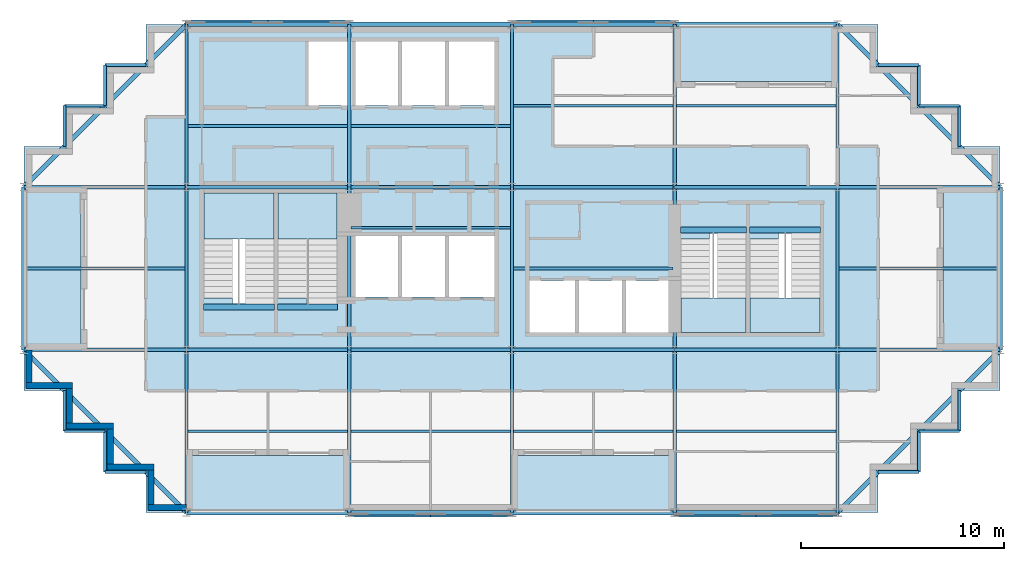
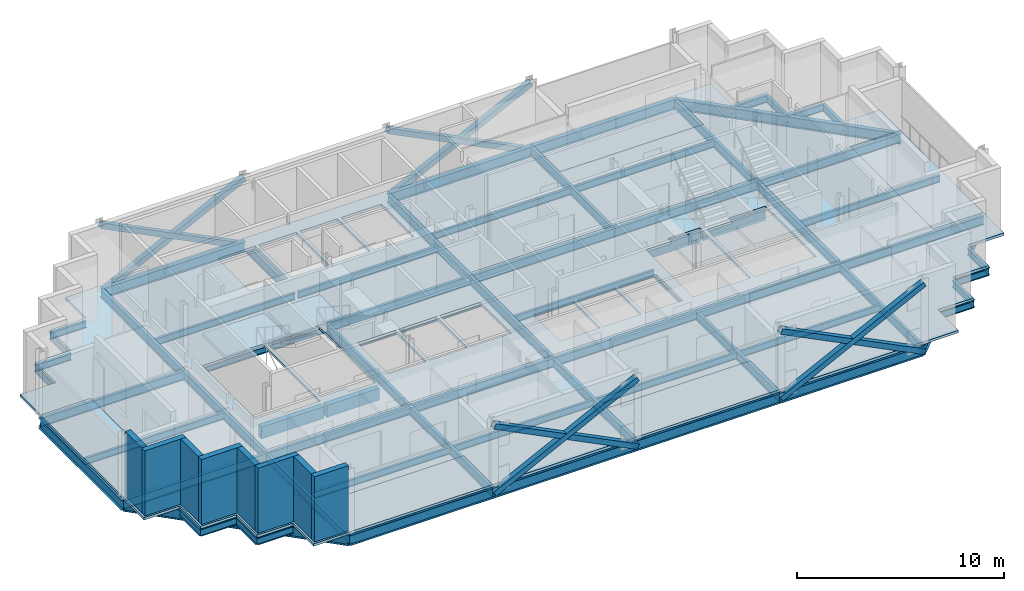
# One storey, part 3 of 9: 73 beams, 12 slabs, 8 members, 8 walls, 4 elements without a shape of their own.
"""IFC4 building model written with IfcOpenShell, lengths in metres."""

import ifcopenshell
import ifcopenshell.guid

model = None  # the IFC model being written
_history = None  # IfcOwnerHistory: only IFC2X3 demands one
_inside = {}  # id of a spatial element -> (the spatial element, [elements in it])
_under = {}  # id of a project, library or spatial element -> (it, [spatial elements below it])
_declared = {}  # id of a project -> (the project, [libraries it declares])
_typed = {}  # id of a type object -> (the type object, [elements of that type])
_made_of = {}  # id of a material, layer set ... -> (it, [elements and type objects made of it])


def new_model(schema):
    """Start an empty IFC model of exactly this schema.

    Asked for "IFC4X3", IfcOpenShell would pick the latest addendum, in which some entities
    have other attributes; the version numbers below select the first issue.
    IFC2X3 requires an IfcOwnerHistory on every rooted entity: one is made here for all.
    """
    global model, _history
    if schema == "IFC4X3":
        model = ifcopenshell.file(schema_version=(4, 3, 0, 0))
    else:
        model = ifcopenshell.file(schema=schema)
    _inside.clear()
    _under.clear()
    _declared.clear()
    _typed.clear()
    _made_of.clear()
    _history = None
    if model.schema == "IFC2X3":
        org = make("IfcOrganization", Name="unknown")
        user = make(
            "IfcPersonAndOrganization",
            ThePerson=make("IfcPerson", FamilyName="unknown"),
            TheOrganization=org,
        )
        app = make(
            "IfcApplication",
            ApplicationDeveloper=org,
            Version="unknown",
            ApplicationFullName="unknown",
            ApplicationIdentifier="unknown",
        )
        _history = make(
            "IfcOwnerHistory",
            OwningUser=user,
            OwningApplication=app,
            ChangeAction="ADDED",
            CreationDate=0,
        )
    return model


def make(cls, **values):
    """One entity of the class cls with the attributes given. An attribute that is None is left unset."""
    return model.create_entity(
        cls, **{name: value for name, value in values.items() if value is not None}
    )


def rooted(cls, **values):
    """An entity with a GlobalId (a new one), such as an element, a storey or a relation."""
    return make(cls, GlobalId=ifcopenshell.guid.new(), OwnerHistory=_history, **values)


def si_unit(unit_type, name, prefix=None):
    """IfcSIUnit, for example si_unit("LENGTHUNIT", "METRE", prefix="MILLI")."""
    return make("IfcSIUnit", UnitType=unit_type, Prefix=prefix, Name=name)


def assignment(units):
    """IfcUnitAssignment: the units of a project."""
    return None if units is None else make("IfcUnitAssignment", Units=units)


def point(xyz):
    """IfcCartesianPoint."""
    return None if xyz is None else make("IfcCartesianPoint", Coordinates=xyz)


def direction(xyz):
    """IfcDirection."""
    return None if xyz is None else make("IfcDirection", DirectionRatios=xyz)


def frame(location, z_axis=None, x_axis=None):
    """IfcAxis2Placement3D, a coordinate frame: its origin and axes. An axis left out is left unset."""
    return make(
        "IfcAxis2Placement3D",
        Location=point(location),
        Axis=direction(z_axis),
        RefDirection=direction(x_axis),
    )


def frame_2d(location, x_axis=None):
    """IfcAxis2Placement2D, a coordinate frame in the plane: its origin and x axis."""
    return make(
        "IfcAxis2Placement2D", Location=point(location), RefDirection=direction(x_axis)
    )


def origin():
    """The frame at (0, 0, 0) with its axes left unset."""
    return frame((0.0, 0.0, 0.0))


def origin_2d():
    """The frame at (0, 0) in the plane with its x axis left unset."""
    return frame_2d((0.0, 0.0))


def place(relative_to, where):
    """IfcLocalPlacement: puts the frame where relative to a parent placement (None: the world)."""
    return make(
        "IfcLocalPlacement", PlacementRelTo=relative_to, RelativePlacement=where
    )


def context(
    kind, dimensions, precision=None, world=None, true_north=None, identifier=None
):
    """IfcGeometricRepresentationContext, for example the 3D "Model" context."""
    return make(
        "IfcGeometricRepresentationContext",
        ContextIdentifier=identifier,
        ContextType=kind,
        CoordinateSpaceDimension=dimensions,
        Precision=precision,
        WorldCoordinateSystem=world,
        TrueNorth=true_north,
    )


def subcontext(parent, identifier, kind, view, scale=None):
    """IfcGeometricRepresentationSubContext, for example "Body" below "Model"."""
    return make(
        "IfcGeometricRepresentationSubContext",
        ContextIdentifier=identifier,
        ContextType=kind,
        ParentContext=parent,
        TargetScale=scale,
        TargetView=view,
    )


def project(units=None, contexts=None):
    """IfcProject with its units and contexts."""
    return rooted(
        "IfcProject",
        Name="project",
        RepresentationContexts=contexts,
        UnitsInContext=assignment(units),
    )


def spatial(cls, under=None, at=None, **own):
    """A site, building, storey or space (cls), placed at a placement, below another one or the project."""
    s = rooted(cls, ObjectPlacement=at, **own)
    if under is not None:
        _under.setdefault(under.id(), (under, []))[1].append(s)
    return s


def polyline(points):
    """IfcPolyline through the points."""
    return make("IfcPolyline", Points=[point(p) for p in points])


def profile(cls, at=None, kind="AREA", **sizes):
    """A parametric profile (cls). Its sizes go by their IFC names, for example OverallWidth=200.0."""
    return make(cls, ProfileType=kind, Position=at, **sizes)


def rectangle(**sizes):
    """IfcRectangleProfileDef."""
    return profile("IfcRectangleProfileDef", **sizes)


def hollow_rectangle(**sizes):
    """IfcRectangleHollowProfileDef."""
    return profile("IfcRectangleHollowProfileDef", **sizes)


def i_section(**sizes):
    """IfcIShapeProfileDef."""
    return profile("IfcIShapeProfileDef", **sizes)


def outline(outer, holes=None, kind="AREA"):
    """IfcArbitraryClosedProfileDef: a profile drawn as a closed curve; with holes, ...WithVoids."""
    if holes is None:
        return make("IfcArbitraryClosedProfileDef", ProfileType=kind, OuterCurve=outer)
    return make(
        "IfcArbitraryProfileDefWithVoids",
        ProfileType=kind,
        OuterCurve=outer,
        InnerCurves=holes,
    )


def extrude(swept, where, along, depth):
    """IfcExtrudedAreaSolid: the profile swept, set in the frame where, extruded along a direction by depth."""
    return make(
        "IfcExtrudedAreaSolid",
        SweptArea=swept,
        Position=where,
        ExtrudedDirection=direction(along),
        Depth=depth,
    )


def shape(context_of_items, identifier, shape_type, items):
    """IfcShapeRepresentation: the items that make up one representation, for example the "Body"."""
    return make(
        "IfcShapeRepresentation",
        ContextOfItems=context_of_items,
        RepresentationIdentifier=identifier,
        RepresentationType=shape_type,
        Items=items,
    )


def material(Name=None, Category=None):
    """IfcMaterial."""
    return make("IfcMaterial", Name=Name, Category=Category)


def layer(
    of_material, thickness, ventilated=None, Name=None, Category=None, Priority=None
):
    """IfcMaterialLayer: one layer of a wall or slab, of a material (None: an air gap)."""
    return make(
        "IfcMaterialLayer",
        Material=of_material,
        LayerThickness=thickness,
        IsVentilated=ventilated,
        Name=Name,
        Category=Category,
        Priority=Priority,
    )


def layer_set(layers, Name=None):
    """IfcMaterialLayerSet."""
    return make("IfcMaterialLayerSet", MaterialLayers=layers, LayerSetName=Name)


def material_profile(
    of_material, cross_section, Name=None, Category=None, Priority=None
):
    """IfcMaterialProfile: a cross section and its material."""
    return make(
        "IfcMaterialProfile",
        Name=Name,
        Material=of_material,
        Profile=cross_section,
        Priority=Priority,
        Category=Category,
    )


def profile_set(profiles, Name=None, composite=None):
    """IfcMaterialProfileSet."""
    return make(
        "IfcMaterialProfileSet",
        Name=Name,
        MaterialProfiles=profiles,
        CompositeProfile=composite,
    )


def made_of(thing, what):
    """Note that an element or type object is made of a material, layer set ...; save() writes the relation."""
    if what is not None:
        _made_of.setdefault(what.id(), (what, []))[1].append(thing)
    return thing


def type_object(cls, material=None, **own):
    """A type object (cls), such as IfcWallType, which elements share."""
    return made_of(rooted(cls, **own), material)


def element(
    cls,
    number,
    at=None,
    inside=None,
    cuts=None,
    type_object=None,
    material=None,
    context=None,
    identifier="Body",
    shape_type=None,
    held_by="IfcProductDefinitionShape",
    body=None,
    shapes=None,
    **own,
):
    """One element of the class cls, such as IfcWall. Its Tag is "e" and its number.

    at: its placement. inside: the storey or other place that contains it. cuts: it is an
    opening in that element (IfcRelVoidsElement). A single representation is given by context,
    identifier, shape_type and body (its items); several are given by shapes. held_by: the class
    of the entity that holds the representations. save() writes the other relations.
    """
    e = rooted(cls, Tag="e%d" % number, ObjectPlacement=at, **own)
    if body is not None:
        shapes = [shape(context, identifier, shape_type, body)]
    if shapes is not None:
        e.Representation = make(held_by, Representations=shapes)
    if inside is not None:
        _inside.setdefault(inside.id(), (inside, []))[1].append(e)
    if cuts is not None:
        rooted(
            "IfcRelVoidsElement", RelatingBuildingElement=cuts, RelatedOpeningElement=e
        )
    if type_object is not None:
        _typed.setdefault(type_object.id(), (type_object, []))[1].append(e)
    return made_of(e, material)


def aggregate(whole, parts):
    """IfcRelAggregates: a whole, such as a stair, and the parts it consists of."""
    return rooted("IfcRelAggregates", RelatingObject=whole, RelatedObjects=parts)


def save(model, path):
    """Write the relations noted so far, then the file.

    IfcRelAggregates (storeys below a building ...), IfcRelContainedInSpatialStructure (elements
    in a storey), IfcRelDefinesByType, IfcRelAssociatesMaterial and IfcRelDeclares: one each for
    every whole, place, type object, material and project.
    """
    for whole, parts in _under.values():
        aggregate(whole, parts)
    for where, things in _inside.values():
        rooted(
            "IfcRelContainedInSpatialStructure",
            RelatedElements=things,
            RelatingStructure=where,
        )
    for kind, things in _typed.values():
        rooted("IfcRelDefinesByType", RelatedObjects=things, RelatingType=kind)
    for what, things in _made_of.values():
        rooted("IfcRelAssociatesMaterial", RelatedObjects=things, RelatingMaterial=what)
    for by, libraries in _declared.values():
        rooted("IfcRelDeclares", RelatingContext=by, RelatedDefinitions=libraries)
    model.write(path)


model = new_model("IFC4")

# Units and contexts
model_context = context("Model", 3, precision=1e-05, world=origin(), true_north=direction((0.0, 1.0)))
body_context = subcontext(model_context, "Body", "Model", "MODEL_VIEW")
ifc_project = project(units=[si_unit("LENGTHUNIT", "METRE"), si_unit("AREAUNIT", "SQUARE_METRE"), si_unit("VOLUMEUNIT", "CUBIC_METRE"), si_unit("PLANEANGLEUNIT", "RADIAN"), si_unit("MASSUNIT", "GRAM", prefix="KILO")], contexts=[model_context])

# Site, building, storey
site_placement = place(None, origin())
site = spatial("IfcSite", under=ifc_project, at=site_placement, CompositionType="ELEMENT")
building_placement = place(site_placement, origin())
building = spatial("IfcBuilding", under=site, at=building_placement, Name="Immortelle Media Tower", CompositionType="ELEMENT")
storey_placement = place(building_placement, frame((0.0, 0.0, 287.0)))
storey = spatial("IfcBuildingStorey", under=building, at=storey_placement, Name="L63", CompositionType="ELEMENT", Elevation=287.0)

# Members
ifc_material_1 = material(Name="Steel ASTM A500 Gr C", Category="steel")
ifc_material_profile_1 = material_profile(ifc_material_1, hollow_rectangle(XDim=0.304931640625, YDim=0.304931640625, WallThickness=0.009033203125, at=origin_2d()), Name="HSS12x12x3/8 brace")
ifc_profile_set_1 = profile_set([ifc_material_profile_1], Name="Steel ASTM A500 Gr C")
member_type = type_object("IfcMemberType", Name="HSS12x12x3/8 brace", PredefinedType="BRACE", material=ifc_profile_set_1)
for number, where, z_axis, x_axis, name in (
    (1, (16.0, -0.0625, -0.450927734375), (0.894427191, 0.0, 0.4472135955), (0.0, 1.0, 0.0), "Brace A/3-4 A"),
    (2, (16.0, -0.0625, 3.549072265625), (0.894427191, 0.0, -0.4472135955), (0.0, 1.0, 0.0), "Brace A/3-4 B"),
    (3, (32.0, -0.0625, -0.450927734375), (0.894427191, 0.0, 0.4472135955), (0.0, 1.0, 0.0), "Brace A/5-6 A"),
    (4, (32.0, -0.0625, 3.549072265625), (0.894427191, 0.0, -0.4472135955), (0.0, 1.0, 0.0), "Brace A/5-6 B"),
    (5, (32.0, 24.0625, -0.450927734375), (-0.894427191, 0.0, 0.4472135955), (0.0, -1.0, 0.0), "Brace D/4-5 A"),
    (6, (32.0, 24.0625, 3.549072265625), (-0.894427191, 0.0, -0.4472135955), (0.0, -1.0, 0.0), "Brace D/4-5 B"),
    (7, (16.0, 24.0625, -0.450927734375), (-0.894427191, 0.0, 0.4472135955), (0.0, -1.0, 0.0), "Brace D/2-3 A"),
    (8, (16.0, 24.0625, 3.549072265625), (-0.894427191, 0.0, -0.4472135955), (0.0, -1.0, 0.0), "Brace D/2-3 B"),
):
    element("IfcMember", number, at=place(storey_placement, frame(where, z_axis=z_axis, x_axis=x_axis)), inside=storey, type_object=member_type, Name=name, PredefinedType="BRACE", context=body_context, shape_type="SweptSolid", body=[
        extrude(hollow_rectangle(XDim=0.304931640625, YDim=0.304931640625, WallThickness=0.009033203125, at=origin_2d()), origin(), (0.0, 0.0, 1.0), 8.9443359375),
    ])

# Beams
ifc_material_2 = material(Name="Concrete C50/60", Category="concrete")
ifc_material_profile_2 = material_profile(ifc_material_2, rectangle(XDim=0.300048828125, YDim=0.699951171875, at=origin_2d()), Name="RC 300x700")
ifc_profile_set_2 = profile_set([ifc_material_profile_2], Name="Concrete C50/60")
beam_type_1 = type_object("IfcBeamType", Name="Stair trimmer beam 300 x 700", PredefinedType="BEAM", material=ifc_profile_set_2)
beam_1_placement = place(storey_placement, frame((8.830078125, 10.10498046875, -0.5), z_axis=(1.0, 0.0, 0.0), x_axis=(0.0, 1.0, 0.0)))
element("IfcBeam", 9, at=beam_1_placement, inside=storey, type_object=beam_type_1, Name="Stair trimmer beam SW1", PredefinedType="BEAM", context=body_context, shape_type="SweptSolid", body=[
    extrude(rectangle(XDim=0.300048828125, YDim=0.699951171875, at=origin_2d()), origin(), (0.0, 0.0, 1.0), 3.489990234375),
])
beam_2_placement = place(storey_placement, frame((12.47998046875, 10.10498046875, -0.5), z_axis=(1.0, 0.0, 0.0), x_axis=(0.0, 1.0, 0.0)))
element("IfcBeam", 10, at=beam_2_placement, inside=storey, type_object=beam_type_1, Name="Stair trimmer beam SW2", PredefinedType="BEAM", context=body_context, shape_type="SweptSolid", body=[
    extrude(rectangle(XDim=0.300048828125, YDim=0.699951171875, at=origin_2d()), origin(), (0.0, 0.0, 1.0), 2.93994140625),
])
beam_3_placement = place(storey_placement, frame((32.280029296875, 13.89501953125, -0.5), z_axis=(1.0, 0.0, 0.0), x_axis=(0.0, 1.0, 0.0)))
element("IfcBeam", 11, at=beam_3_placement, inside=storey, type_object=beam_type_1, Name="Stair trimmer beam SE1", PredefinedType="BEAM", context=body_context, shape_type="SweptSolid", body=[
    extrude(rectangle(XDim=0.300048828125, YDim=0.699951171875, at=origin_2d()), origin(), (0.0, 0.0, 1.0), 3.239990234375),
])
beam_4_placement = place(storey_placement, frame((35.679931640625, 13.89501953125, -0.5), z_axis=(1.0, 0.0, 0.0), x_axis=(0.0, 1.0, 0.0)))
element("IfcBeam", 12, at=beam_4_placement, inside=storey, type_object=beam_type_1, Name="Stair trimmer beam SE2", PredefinedType="BEAM", context=body_context, shape_type="SweptSolid", body=[
    extrude(rectangle(XDim=0.300048828125, YDim=0.699951171875, at=origin_2d()), origin(), (0.0, 0.0, 1.0), 3.489990234375),
])
ifc_material_3 = material(Name="Steel ASTM A992 Gr 50", Category="steel")
ifc_material_profile_3 = material_profile(ifc_material_3, i_section(OverallWidth=0.139892578125, OverallDepth=0.404052734375, WebThickness=0.007080078125, FlangeThickness=0.010986328125, at=origin_2d()), Name="W16x31")
ifc_profile_set_3 = profile_set([ifc_material_profile_3], Name="Steel ASTM A992 Gr 50")
beam_type_2 = type_object("IfcBeamType", Name="W16x31 secondary beam", PredefinedType="JOIST", material=ifc_profile_set_3)
for number, where, z_axis, x_axis, name in (
    (13, (8.08251953125, 4.0, -0.35205078125), (1.0, 0.0, 0.0), (0.0, 1.0, 0.0), "Beam A-B/2-3"),
    (14, (16.08251953125, 4.0, -0.35205078125), (1.0, 0.0, 0.0), (0.0, 1.0, 0.0), "Beam A-B/3-4"),
    (15, (24.08251953125, 4.0, -0.35205078125), (1.0, 0.0, 0.0), (0.0, 1.0, 0.0), "Beam A-B/4-5"),
    (16, (32.08251953125, 4.0, -0.35205078125), (1.0, 0.0, 0.0), (0.0, 1.0, 0.0), "Beam A-B/5-6"),
):
    element("IfcBeam", number, at=place(storey_placement, frame(where, z_axis=z_axis, x_axis=x_axis)), inside=storey, type_object=beam_type_2, Name=name, PredefinedType="JOIST", context=body_context, shape_type="SweptSolid", body=[
        extrude(i_section(OverallWidth=0.139892578125, OverallDepth=0.404052734375, WebThickness=0.007080078125, FlangeThickness=0.010986328125, at=origin_2d()), origin(), (0.0, 0.0, 1.0), 7.8349609375),
    ])
beam_5_placement = place(storey_placement, frame((0.114013671875, 12.0, -0.35205078125), z_axis=(1.0, 0.0, 0.0), x_axis=(0.0, 1.0, 0.0)))
element("IfcBeam", 17, at=beam_5_placement, inside=storey, type_object=beam_type_2, Name="Beam B-C/1-2", PredefinedType="JOIST", context=body_context, shape_type="SweptSolid", body=[
    extrude(i_section(OverallWidth=0.139892578125, OverallDepth=0.404052734375, WebThickness=0.007080078125, FlangeThickness=0.010986328125, at=origin_2d()), origin(), (0.0, 0.0, 1.0), 7.803466796875),
])
for number, where, z_axis, x_axis, name in (
    (18, (16.08251953125, 14.0, -0.35205078125), (1.0, 0.0, 0.0), (0.0, 1.0, 0.0), "Beam B-C/3-4"),
    (19, (24.08251953125, 12.0, -0.35205078125), (1.0, 0.0, 0.0), (0.0, 1.0, 0.0), "Beam B-C/4-5"),
):
    element("IfcBeam", number, at=place(storey_placement, frame(where, z_axis=z_axis, x_axis=x_axis)), inside=storey, type_object=beam_type_2, Name=name, PredefinedType="JOIST", context=body_context, shape_type="SweptSolid", body=[
        extrude(i_section(OverallWidth=0.139892578125, OverallDepth=0.404052734375, WebThickness=0.007080078125, FlangeThickness=0.010986328125, at=origin_2d()), origin(), (0.0, 0.0, 1.0), 7.8349609375),
    ])
beam_6_placement = place(storey_placement, frame((40.08251953125, 12.0, -0.35205078125), z_axis=(1.0, 0.0, 0.0), x_axis=(0.0, 1.0, 0.0)))
element("IfcBeam", 20, at=beam_6_placement, inside=storey, type_object=beam_type_2, Name="Beam B-C/6-7", PredefinedType="JOIST", context=body_context, shape_type="SweptSolid", body=[
    extrude(i_section(OverallWidth=0.139892578125, OverallDepth=0.404052734375, WebThickness=0.007080078125, FlangeThickness=0.010986328125, at=origin_2d()), origin(), (0.0, 0.0, 1.0), 7.803466796875),
])
for number, where, z_axis, x_axis, name in (
    (21, (8.08251953125, 19.0, -0.35205078125), (1.0, 0.0, 0.0), (0.0, 1.0, 0.0), "Beam C-D/2-3"),
    (22, (16.08251953125, 19.0, -0.35205078125), (1.0, 0.0, 0.0), (0.0, 1.0, 0.0), "Beam C-D/3-4"),
    (23, (24.08251953125, 20.0, -0.35205078125), (1.0, 0.0, 0.0), (0.0, 1.0, 0.0), "Beam C-D/4-5"),
    (24, (32.08251953125, 20.0, -0.35205078125), (1.0, 0.0, 0.0), (0.0, 1.0, 0.0), "Beam C-D/5-6"),
):
    element("IfcBeam", number, at=place(storey_placement, frame(where, z_axis=z_axis, x_axis=x_axis)), inside=storey, type_object=beam_type_2, Name=name, PredefinedType="JOIST", context=body_context, shape_type="SweptSolid", body=[
        extrude(i_section(OverallWidth=0.139892578125, OverallDepth=0.404052734375, WebThickness=0.007080078125, FlangeThickness=0.010986328125, at=origin_2d()), origin(), (0.0, 0.0, 1.0), 7.8349609375),
    ])
ifc_material_profile_4 = material_profile(ifc_material_3, i_section(OverallWidth=0.139892578125, OverallDepth=0.404052734375, WebThickness=0.007080078125, FlangeThickness=0.010986328125, at=origin_2d()), Name="W16x31")
ifc_profile_set_4 = profile_set([ifc_material_profile_4], Name="Steel ASTM A992 Gr 50")
beam_type_3 = type_object("IfcBeamType", Name="W16x31 serration edge beam", PredefinedType="SPANDREL", material=ifc_profile_set_4)
for number, where, z_axis, x_axis, name in (
    (25, (6.0, 2.0, -0.35205078125), (-1.0, 0.0, 0.0), (0.0, -1.0, 0.0), "Corner edge beam 1 at 1/A"),
    (26, (4.0, 2.0, -0.35205078125), (0.0, 1.0, 0.0), (-1.0, 0.0, 0.0), "Corner edge beam 2 at 1/A"),
    (27, (4.0, 4.0, -0.35205078125), (-1.0, 0.0, 0.0), (0.0, -1.0, 0.0), "Corner edge beam 3 at 1/A"),
    (28, (2.0, 4.0, -0.35205078125), (0.0, 1.0, 0.0), (-1.0, 0.0, 0.0), "Corner edge beam 4 at 1/A"),
    (29, (2.0, 18.0, -0.35205078125), (0.0, 1.0, 0.0), (-1.0, 0.0, 0.0), "Corner edge beam 1 at 1/D"),
    (30, (2.0, 20.0, -0.35205078125), (1.0, 0.0, 0.0), (0.0, 1.0, 0.0), "Corner edge beam 2 at 1/D"),
    (31, (4.0, 20.0, -0.35205078125), (0.0, 1.0, 0.0), (-1.0, 0.0, 0.0), "Corner edge beam 3 at 1/D"),
    (32, (4.0, 22.0, -0.35205078125), (1.0, 0.0, 0.0), (0.0, 1.0, 0.0), "Corner edge beam 4 at 1/D"),
    (33, (46.0, 6.0, -0.35205078125), (0.0, -1.0, 0.0), (1.0, 0.0, 0.0), "Corner edge beam 1 at 7/A"),
    (34, (46.0, 4.0, -0.35205078125), (-1.0, 0.0, 0.0), (0.0, -1.0, 0.0), "Corner edge beam 2 at 7/A"),
    (35, (44.0, 4.0, -0.35205078125), (0.0, -1.0, 0.0), (1.0, 0.0, 0.0), "Corner edge beam 3 at 7/A"),
    (36, (44.0, 2.0, -0.35205078125), (-1.0, 0.0, 0.0), (0.0, -1.0, 0.0), "Corner edge beam 4 at 7/A"),
    (37, (42.0, 22.0, -0.35205078125), (1.0, 0.0, 0.0), (0.0, 1.0, 0.0), "Corner edge beam 1 at 7/D"),
    (38, (44.0, 22.0, -0.35205078125), (0.0, -1.0, 0.0), (1.0, 0.0, 0.0), "Corner edge beam 2 at 7/D"),
    (39, (44.0, 20.0, -0.35205078125), (1.0, 0.0, 0.0), (0.0, 1.0, 0.0), "Corner edge beam 3 at 7/D"),
    (40, (46.0, 20.0, -0.35205078125), (0.0, -1.0, 0.0), (1.0, 0.0, 0.0), "Corner edge beam 4 at 7/D"),
):
    element("IfcBeam", number, at=place(storey_placement, frame(where, z_axis=z_axis, x_axis=x_axis)), inside=storey, type_object=beam_type_3, Name=name, PredefinedType="SPANDREL", context=body_context, shape_type="SweptSolid", body=[
        extrude(i_section(OverallWidth=0.139892578125, OverallDepth=0.404052734375, WebThickness=0.007080078125, FlangeThickness=0.010986328125, at=origin_2d()), origin(), (0.0, 0.0, 1.0), 2.0),
    ])
ifc_material_profile_5 = material_profile(ifc_material_3, i_section(OverallWidth=0.1650390625, OverallDepth=0.52587890625, WebThickness=0.009033203125, FlangeThickness=0.010986328125, at=origin_2d()), Name="W21x44")
ifc_profile_set_5 = profile_set([ifc_material_profile_5], Name="Steel ASTM A992 Gr 50")
beam_type_4 = type_object("IfcBeamType", Name="W21x44 girder", PredefinedType="BEAM", material=ifc_profile_set_5)
for number, where, z_axis, x_axis, name in (
    (41, (0.0, 8.0, -0.4130859375), (1.0, 0.0, 0.0), (0.0, 1.0, 0.0), "Girder B/1-2"),
    (42, (0.0, 16.0, -0.4130859375), (1.0, 0.0, 0.0), (0.0, 1.0, 0.0), "Girder C/1-2"),
    (43, (8.0, 0.0, -0.4130859375), (0.0, 1.0, 0.0), (-1.0, 0.0, 0.0), "Girder 2/A-B"),
    (44, (8.0, 8.0, -0.4130859375), (1.0, 0.0, 0.0), (0.0, 1.0, 0.0), "Girder B/2-3"),
    (45, (8.0, 8.0, -0.4130859375), (0.0, 1.0, 0.0), (-1.0, 0.0, 0.0), "Girder 2/B-C"),
    (46, (8.0, 16.0, -0.4130859375), (1.0, 0.0, 0.0), (0.0, 1.0, 0.0), "Girder C/2-3"),
    (47, (8.0, 16.0, -0.4130859375), (0.0, 1.0, 0.0), (-1.0, 0.0, 0.0), "Girder 2/C-D"),
    (48, (16.0, 0.0, -0.4130859375), (0.0, 1.0, 0.0), (-1.0, 0.0, 0.0), "Girder 3/A-B"),
    (49, (16.0, 8.0, -0.4130859375), (1.0, 0.0, 0.0), (0.0, 1.0, 0.0), "Girder B/3-4"),
    (50, (16.0, 8.0, -0.4130859375), (0.0, 1.0, 0.0), (-1.0, 0.0, 0.0), "Girder 3/B-C"),
    (51, (16.0, 16.0, -0.4130859375), (1.0, 0.0, 0.0), (0.0, 1.0, 0.0), "Girder C/3-4"),
    (52, (16.0, 16.0, -0.4130859375), (0.0, 1.0, 0.0), (-1.0, 0.0, 0.0), "Girder 3/C-D"),
    (53, (24.0, 0.0, -0.4130859375), (0.0, 1.0, 0.0), (-1.0, 0.0, 0.0), "Girder 4/A-B"),
    (54, (24.0, 8.0, -0.4130859375), (1.0, 0.0, 0.0), (0.0, 1.0, 0.0), "Girder B/4-5"),
    (55, (24.0, 8.0, -0.4130859375), (0.0, 1.0, 0.0), (-1.0, 0.0, 0.0), "Girder 4/B-C"),
    (56, (24.0, 16.0, -0.4130859375), (1.0, 0.0, 0.0), (0.0, 1.0, 0.0), "Girder C/4-5"),
    (57, (24.0, 16.0, -0.4130859375), (0.0, 1.0, 0.0), (-1.0, 0.0, 0.0), "Girder 4/C-D"),
    (58, (32.0, 0.0, -0.4130859375), (0.0, 1.0, 0.0), (-1.0, 0.0, 0.0), "Girder 5/A-B"),
    (59, (32.0, 8.0, -0.4130859375), (1.0, 0.0, 0.0), (0.0, 1.0, 0.0), "Girder B/5-6"),
    (60, (32.0, 8.0, -0.4130859375), (0.0, 1.0, 0.0), (-1.0, 0.0, 0.0), "Girder 5/B-C"),
    (61, (32.0, 16.0, -0.4130859375), (1.0, 0.0, 0.0), (0.0, 1.0, 0.0), "Girder C/5-6"),
    (62, (32.0, 16.0, -0.4130859375), (0.0, 1.0, 0.0), (-1.0, 0.0, 0.0), "Girder 5/C-D"),
    (63, (40.0, 0.0, -0.4130859375), (0.0, 1.0, 0.0), (-1.0, 0.0, 0.0), "Girder 6/A-B"),
    (64, (40.0, 8.0, -0.4130859375), (1.0, 0.0, 0.0), (0.0, 1.0, 0.0), "Girder B/6-7"),
    (65, (40.0, 8.0, -0.4130859375), (0.0, 1.0, 0.0), (-1.0, 0.0, 0.0), "Girder 6/B-C"),
    (66, (40.0, 16.0, -0.4130859375), (1.0, 0.0, 0.0), (0.0, 1.0, 0.0), "Girder C/6-7"),
    (67, (40.0, 16.0, -0.4130859375), (0.0, 1.0, 0.0), (-1.0, 0.0, 0.0), "Girder 6/C-D"),
):
    element("IfcBeam", number, at=place(storey_placement, frame(where, z_axis=z_axis, x_axis=x_axis)), inside=storey, type_object=beam_type_4, Name=name, PredefinedType="BEAM", context=body_context, shape_type="SweptSolid", body=[
        extrude(i_section(OverallWidth=0.1650390625, OverallDepth=0.52587890625, WebThickness=0.009033203125, FlangeThickness=0.010986328125, at=origin_2d()), origin(), (0.0, 0.0, 1.0), 8.0),
    ])
ifc_material_profile_6 = material_profile(ifc_material_3, i_section(OverallWidth=0.22802734375, OverallDepth=0.60205078125, WebThickness=0.010986328125, FlangeThickness=0.014892578125, at=origin_2d()), Name="W24x68")
ifc_profile_set_6 = profile_set([ifc_material_profile_6], Name="Steel ASTM A992 Gr 50")
beam_type_5 = type_object("IfcBeamType", Name="W24x68 perimeter girder", PredefinedType="SPANDREL", material=ifc_profile_set_6)
for number, where, z_axis, x_axis, name in (
    (68, (0.0, 8.0, -0.450927734375), (0.0, 1.0, 0.0), (-1.0, 0.0, 0.0), "Girder 1/B-C"),
    (69, (8.0, 0.0, -0.450927734375), (1.0, 0.0, 0.0), (0.0, 1.0, 0.0), "Girder A/2-3"),
    (70, (8.0, 24.0, -0.450927734375), (1.0, 0.0, 0.0), (0.0, 1.0, 0.0), "Girder D/2-3"),
    (71, (16.0, 0.0, -0.450927734375), (1.0, 0.0, 0.0), (0.0, 1.0, 0.0), "Girder A/3-4"),
    (72, (16.0, 24.0, -0.450927734375), (1.0, 0.0, 0.0), (0.0, 1.0, 0.0), "Girder D/3-4"),
    (73, (24.0, 0.0, -0.450927734375), (1.0, 0.0, 0.0), (0.0, 1.0, 0.0), "Girder A/4-5"),
    (74, (24.0, 24.0, -0.450927734375), (1.0, 0.0, 0.0), (0.0, 1.0, 0.0), "Girder D/4-5"),
    (75, (32.0, 0.0, -0.450927734375), (1.0, 0.0, 0.0), (0.0, 1.0, 0.0), "Girder A/5-6"),
    (76, (32.0, 24.0, -0.450927734375), (1.0, 0.0, 0.0), (0.0, 1.0, 0.0), "Girder D/5-6"),
    (77, (48.0, 8.0, -0.450927734375), (0.0, 1.0, 0.0), (-1.0, 0.0, 0.0), "Girder 7/B-C"),
):
    element("IfcBeam", number, at=place(storey_placement, frame(where, z_axis=z_axis, x_axis=x_axis)), inside=storey, type_object=beam_type_5, Name=name, PredefinedType="SPANDREL", context=body_context, shape_type="SweptSolid", body=[
        extrude(i_section(OverallWidth=0.22802734375, OverallDepth=0.60205078125, WebThickness=0.010986328125, FlangeThickness=0.014892578125, at=origin_2d()), origin(), (0.0, 0.0, 1.0), 8.0),
    ])
ifc_material_profile_7 = material_profile(ifc_material_3, i_section(OverallWidth=0.22900390625, OverallDepth=0.612060546875, WebThickness=0.011962890625, FlangeThickness=0.02001953125, at=origin_2d()), Name="W24x84")
ifc_profile_set_7 = profile_set([ifc_material_profile_7], Name="Steel ASTM A992 Gr 50")
beam_type_6 = type_object("IfcBeamType", Name="W24x84 corner girder", PredefinedType="SPANDREL", material=ifc_profile_set_7)
for number, where, z_axis, x_axis, name in (
    (78, (8.0, 0.0, -0.4560546875), (-0.707106781187, 0.707106781187, 0.0), (-0.707106781187, -0.707106781187, 0.0), "Corner girder at 1/A"),
    (79, (0.0, 16.0, -0.4560546875), (0.707106781187, 0.707106781187, 0.0), (-0.707106781187, 0.707106781187, 0.0), "Corner girder at 1/D"),
    (80, (48.0, 8.0, -0.4560546875), (-0.707106781187, -0.707106781187, 0.0), (0.707106781187, -0.707106781187, 0.0), "Corner girder at 7/A"),
    (81, (40.0, 24.0, -0.4560546875), (0.707106781187, -0.707106781187, 0.0), (0.707106781187, 0.707106781187, 0.0), "Corner girder at 7/D"),
):
    element("IfcBeam", number, at=place(storey_placement, frame(where, z_axis=z_axis, x_axis=x_axis)), inside=storey, type_object=beam_type_6, Name=name, PredefinedType="SPANDREL", context=body_context, shape_type="SweptSolid", body=[
        extrude(i_section(OverallWidth=0.22900390625, OverallDepth=0.612060546875, WebThickness=0.011962890625, FlangeThickness=0.02001953125, at=origin_2d()), origin(), (0.0, 0.0, 1.0), 11.313720703125),
    ])

# Slabs
ifc_material_4 = material(Name="Concrete C50/60 composite deck", Category="concrete")
ifc_layer_1 = layer(ifc_material_4, 0.14990234375)
ifc_layer_set_1 = layer_set([ifc_layer_1], Name="Concrete C50/60 composite deck")
slab_type_1 = type_object("IfcSlabType", Name="Balcony slab 150", PredefinedType="FLOOR", material=ifc_layer_set_1)
slab_1_placement = place(storey_placement, frame((0.0, 0.0, -0.14990234375)))
element("IfcSlab", 82, at=slab_1_placement, inside=storey, type_object=slab_type_1, Name="Balcony slab L63 S0", PredefinedType="FLOOR", context=body_context, shape_type="SweptSolid", body=[
    extrude(outline(polyline([(16.0, 0.0), (16.0, 2.800048828125), (8.0, 2.800048828125), (8.0, 0.0), (16.0, 0.0)])), origin(), (0.0, 0.0, 1.0), 0.14990234375),
])
slab_2_placement = place(storey_placement, frame((0.0, 0.0, -0.14990234375)))
element("IfcSlab", 83, at=slab_2_placement, inside=storey, type_object=slab_type_1, Name="Balcony slab L63 S2", PredefinedType="FLOOR", context=body_context, shape_type="SweptSolid", body=[
    extrude(outline(polyline([(32.0, 0.0), (32.0, 2.800048828125), (24.0, 2.800048828125), (24.0, 0.0), (32.0, 0.0)])), origin(), (0.0, 0.0, 1.0), 0.14990234375),
])
slab_3_placement = place(storey_placement, frame((0.0, 0.0, -0.14990234375)))
element("IfcSlab", 84, at=slab_3_placement, inside=storey, type_object=slab_type_1, Name="Balcony slab L63 E0", PredefinedType="FLOOR", context=body_context, shape_type="SweptSolid", body=[
    extrude(outline(polyline([(48.0, 8.0), (48.0, 16.0), (45.199951171875, 16.0), (45.199951171875, 8.0), (48.0, 8.0)])), origin(), (0.0, 0.0, 1.0), 0.14990234375),
])
slab_4_placement = place(storey_placement, frame((0.0, 0.0, -0.14990234375)))
element("IfcSlab", 85, at=slab_4_placement, inside=storey, type_object=slab_type_1, Name="Balcony slab L63 N0", PredefinedType="FLOOR", context=body_context, shape_type="SweptSolid", body=[
    extrude(outline(polyline([(40.0, 21.199951171875), (40.0, 24.0), (32.0, 24.0), (32.0, 21.199951171875), (40.0, 21.199951171875)])), origin(), (0.0, 0.0, 1.0), 0.14990234375),
])
slab_5_placement = place(storey_placement, frame((0.0, 0.0, -0.14990234375)))
element("IfcSlab", 86, at=slab_5_placement, inside=storey, type_object=slab_type_1, Name="Balcony slab L63 W0", PredefinedType="FLOOR", context=body_context, shape_type="SweptSolid", body=[
    extrude(outline(polyline([(2.800048828125, 8.0), (2.800048828125, 16.0), (0.0, 16.0), (0.0, 8.0), (2.800048828125, 8.0)])), origin(), (0.0, 0.0, 1.0), 0.14990234375),
])
ifc_layer_2 = layer(ifc_material_2, 0.14990234375)
ifc_layer_set_2 = layer_set([ifc_layer_2], Name="Concrete C50/60")
slab_type_2 = type_object("IfcSlabType", Name="Composite floor slab 150", PredefinedType="FLOOR", material=ifc_layer_set_2)
slab_6_placement = place(storey_placement, frame((0.0, 0.0, -0.14990234375)))
element("IfcSlab", 87, at=slab_6_placement, inside=storey, type_object=slab_type_2, Name="Floor slab L63", PredefinedType="FLOOR", context=body_context, shape_type="SweptSolid", body=[
    extrude(outline(polyline([(6.0, 0.0), (6.0, 2.0), (4.0, 2.0), (4.0, 4.0), (2.0, 4.0), (2.0, 6.0), (0.0, 6.0), (0.0, 8.0), (2.800048828125, 8.0), (2.800048828125, 16.0), (0.0, 16.0), (0.0, 18.0), (2.0, 18.0), (2.0, 20.0), (4.0, 20.0), (4.0, 22.0), (6.0, 22.0), (6.0, 24.0), (8.0, 24.0), (8.0, 8.0), (24.0, 8.0), (40.0, 8.0), (40.0, 16.0), (24.0, 16.0), (24.0, 21.199951171875), (24.0, 24.0), (32.0, 24.0), (32.0, 21.199951171875), (40.0, 21.199951171875), (40.0, 24.0), (42.0, 24.0), (42.0, 22.0), (44.0, 22.0), (44.0, 20.0), (46.0, 20.0), (46.0, 18.0), (48.0, 18.0), (48.0, 16.0), (45.199951171875, 16.0), (45.199951171875, 8.0), (48.0, 8.0), (48.0, 6.0), (46.0, 6.0), (46.0, 4.0), (44.0, 4.0), (44.0, 2.0), (42.0, 2.0), (42.0, 0.0), (32.0, 0.0), (32.0, 2.800048828125), (24.0, 2.800048828125), (24.0, 0.0), (16.0, 0.0), (16.0, 2.800048828125), (8.0, 2.800048828125), (8.0, 0.0), (6.0, 0.0)])), origin(), (0.0, 0.0, 1.0), 0.14990234375),
])
ifc_layer_3 = layer(ifc_material_2, 0.14990234375)
ifc_layer_set_3 = layer_set([ifc_layer_3], Name="Concrete C50/60")
slab_type_3 = type_object("IfcSlabType", Name="Core floor slab 150", PredefinedType="FLOOR", material=ifc_layer_set_3)
slab_7_placement = place(storey_placement, frame((0.0, 0.0, -0.14990234375)))
element("IfcSlab", 88, at=slab_7_placement, inside=storey, type_object=slab_type_3, Name="Core floor SW", PredefinedType="FLOOR", context=body_context, shape_type="SweptSolid", body=[
    extrude(outline(polyline([(8.0, 8.0), (24.0, 8.0), (24.0, 24.0), (8.0, 24.0), (8.0, 8.0)]), holes=[polyline([(14.0, 20.0), (16.10009765625, 20.0), (16.10009765625, 23.14990234375), (14.0, 23.14990234375), (14.0, 20.0)]), polyline([(16.300048828125, 20.0), (18.39990234375, 20.0), (18.39990234375, 23.14990234375), (16.300048828125, 23.14990234375), (16.300048828125, 20.0)]), polyline([(18.60009765625, 20.0), (20.699951171875, 20.0), (20.699951171875, 23.14990234375), (18.60009765625, 23.14990234375), (18.60009765625, 20.0)]), polyline([(20.89990234375, 20.0), (23.14990234375, 20.0), (23.14990234375, 23.14990234375), (20.89990234375, 23.14990234375), (20.89990234375, 20.0)]), polyline([(16.300048828125, 10.60009765625), (18.39990234375, 10.60009765625), (18.39990234375, 13.60009765625), (16.300048828125, 13.60009765625), (16.300048828125, 10.60009765625)]), polyline([(18.60009765625, 10.60009765625), (20.699951171875, 10.60009765625), (20.699951171875, 13.60009765625), (18.60009765625, 13.60009765625), (18.60009765625, 10.60009765625)]), polyline([(20.89990234375, 10.60009765625), (23.14990234375, 10.60009765625), (23.14990234375, 13.60009765625), (20.89990234375, 13.60009765625), (20.89990234375, 10.60009765625)]), polyline([(8.85009765625, 15.699951171875), (12.300048828125, 15.699951171875), (12.300048828125, 10.27001953125), (10.25, 10.27001953125), (10.25, 10.56005859375), (8.85009765625, 10.56005859375), (8.85009765625, 15.699951171875)]), polyline([(12.5, 15.699951171875), (15.39990234375, 15.699951171875), (15.39990234375, 10.27001953125), (13.89990234375, 10.27001953125), (13.89990234375, 10.56005859375), (12.5, 10.56005859375), (12.5, 15.699951171875)])]), origin(), (0.0, 0.0, 1.0), 0.14990234375),
])
slab_8_placement = place(storey_placement, frame((0.0, 0.0, -0.14990234375)))
element("IfcSlab", 89, at=slab_8_placement, inside=storey, type_object=slab_type_3, Name="Core floor SE", PredefinedType="FLOOR", context=body_context, shape_type="SweptSolid", body=[
    extrude(outline(polyline([(24.0, 8.0), (40.0, 8.0), (40.0, 16.0), (24.0, 16.0), (24.0, 8.0)]), holes=[polyline([(24.85009765625, 8.85009765625), (27.10009765625, 8.85009765625), (27.10009765625, 11.39990234375), (24.85009765625, 11.39990234375), (24.85009765625, 8.85009765625)]), polyline([(27.300048828125, 8.85009765625), (29.39990234375, 8.85009765625), (29.39990234375, 11.39990234375), (27.300048828125, 11.39990234375), (27.300048828125, 8.85009765625)]), polyline([(29.60009765625, 8.85009765625), (31.699951171875, 8.85009765625), (31.699951171875, 11.39990234375), (29.60009765625, 11.39990234375), (29.60009765625, 8.85009765625)]), polyline([(35.5, 13.72998046875), (35.5, 8.85009765625), (32.300048828125, 8.85009765625), (32.300048828125, 13.43994140625), (33.699951171875, 13.43994140625), (33.699951171875, 13.72998046875), (35.5, 13.72998046875)]), polyline([(39.14990234375, 13.72998046875), (39.14990234375, 8.85009765625), (35.699951171875, 8.85009765625), (35.699951171875, 13.43994140625), (37.10009765625, 13.43994140625), (37.10009765625, 13.72998046875), (39.14990234375, 13.72998046875)])]), origin(), (0.0, 0.0, 1.0), 0.14990234375),
])

# Stair, slab
stair_type = type_object("IfcStairType", Name="Stair with flights", PredefinedType="DOUBLE_RETURN_STAIR", material=ifc_material_3)
stair_1_placement = place(storey_placement, origin())
stair_1 = element("IfcStair", 90, at=stair_1_placement, inside=storey, type_object=stair_type, Name="Exit stair SW1", PredefinedType="DOUBLE_RETURN_STAIR")
ifc_material_5 = material(Name="Steel ASTM A572 Gr 50", Category="steel")
ifc_layer_4 = layer(ifc_material_5, 0.199951171875)
ifc_layer_set_4 = layer_set([ifc_layer_4], Name="Steel ASTM A572 Gr 50")
slab_type_4 = type_object("IfcSlabType", Name="Stair landing 200", PredefinedType="LANDING", material=ifc_layer_set_4)
slab_9_placement = place(storey_placement, frame((0.0, 0.0, 1.713134765625)))
slab_9 = element("IfcSlab", 91, at=slab_9_placement, type_object=slab_type_4, Name="ST SW1 landing 1", PredefinedType="LANDING", context=body_context, shape_type="SweptSolid", body=[
    extrude(outline(polyline([(8.85009765625, 13.43994140625), (12.300048828125, 13.43994140625), (12.300048828125, 15.699951171875), (8.85009765625, 15.699951171875), (8.85009765625, 13.43994140625)])), origin(), (0.0, 0.0, 1.0), 0.199951171875),
])
aggregate(stair_1, [slab_9])

stair_2_placement = place(storey_placement, origin())
stair_2 = element("IfcStair", 92, at=stair_2_placement, inside=storey, type_object=stair_type, Name="Exit stair SW2", PredefinedType="DOUBLE_RETURN_STAIR")
slab_10_placement = place(storey_placement, frame((0.0, 0.0, 1.713134765625)))
slab_10 = element("IfcSlab", 93, at=slab_10_placement, type_object=slab_type_4, Name="ST SW2 landing 1", PredefinedType="LANDING", context=body_context, shape_type="SweptSolid", body=[
    extrude(outline(polyline([(12.5, 13.43994140625), (15.39990234375, 13.43994140625), (15.39990234375, 15.699951171875), (12.5, 15.699951171875), (12.5, 13.43994140625)])), origin(), (0.0, 0.0, 1.0), 0.199951171875),
])
aggregate(stair_2, [slab_10])

stair_3_placement = place(storey_placement, origin())
stair_3 = element("IfcStair", 94, at=stair_3_placement, inside=storey, type_object=stair_type, Name="Exit stair SE1", PredefinedType="DOUBLE_RETURN_STAIR")
slab_11_placement = place(storey_placement, frame((0.0, 0.0, 1.713134765625)))
slab_11 = element("IfcSlab", 95, at=slab_11_placement, type_object=slab_type_4, Name="ST SE1 landing 1", PredefinedType="LANDING", context=body_context, shape_type="SweptSolid", body=[
    extrude(outline(polyline([(32.300048828125, 8.85009765625), (35.5, 8.85009765625), (35.5, 10.56005859375), (32.300048828125, 10.56005859375), (32.300048828125, 8.85009765625)])), origin(), (0.0, 0.0, 1.0), 0.199951171875),
])
aggregate(stair_3, [slab_11])

stair_4_placement = place(storey_placement, origin())
stair_4 = element("IfcStair", 96, at=stair_4_placement, inside=storey, type_object=stair_type, Name="Exit stair SE2", PredefinedType="DOUBLE_RETURN_STAIR")
slab_12_placement = place(storey_placement, frame((0.0, 0.0, 1.713134765625)))
slab_12 = element("IfcSlab", 97, at=slab_12_placement, type_object=slab_type_4, Name="ST SE2 landing 1", PredefinedType="LANDING", context=body_context, shape_type="SweptSolid", body=[
    extrude(outline(polyline([(35.699951171875, 8.85009765625), (39.14990234375, 8.85009765625), (39.14990234375, 10.56005859375), (35.699951171875, 10.56005859375), (35.699951171875, 8.85009765625)])), origin(), (0.0, 0.0, 1.0), 0.199951171875),
])
aggregate(stair_4, [slab_12])

# Walls
ifc_material_6 = material(Name="Pale aluminium cladding panel", Category="aluminium")
ifc_layer_5 = layer(ifc_material_6, 0.030029296875)
ifc_material_7 = material(Name="Steel ASTM A653 SS Gr 50 stud frame with mineral wool", Category="steel")
ifc_layer_6 = layer(ifc_material_7, 0.257568359375)
ifc_material_8 = material(Name="Moisture-resistant gypsum board", Category="gypsum")
ifc_layer_7 = layer(ifc_material_8, 0.012451171875)
ifc_layer_set_5 = layer_set([ifc_layer_5, ifc_layer_6, ifc_layer_7], Name="Steel ASTM A653 SS Gr 50 stud frame with mineral wool")
wall_type = type_object("IfcWallType", Name="Facade wall 300", PredefinedType="SOLIDWALL", material=ifc_layer_set_5)
wall_1_placement = place(storey_placement, frame((0.10009765625, 6.25, 0.0), z_axis=(0.0, 0.0, 1.0), x_axis=(1.0, 0.0, 0.0)))
element("IfcWall", 98, at=wall_1_placement, inside=storey, type_object=wall_type, Name="Facade wall L63 S0", PredefinedType="SOLIDWALL", context=body_context, shape_type="SweptSolid", body=[
    extrude(rectangle(XDim=2.2998046875, YDim=0.300048828125, at=frame_2d((1.14990234375, 0.0))), origin(), (0.0, 0.0, 1.0), 3.85009765625),
])
wall_2_placement = place(storey_placement, frame((2.25, 6.10009765625, 0.0), z_axis=(0.0, 0.0, 1.0), x_axis=(0.0, -1.0, 0.0)))
element("IfcWall", 99, at=wall_2_placement, inside=storey, type_object=wall_type, Name="Facade wall L63 W1", PredefinedType="SOLIDWALL", context=body_context, shape_type="SweptSolid", body=[
    extrude(rectangle(XDim=1.7001953125, YDim=0.300048828125, at=frame_2d((0.85009765625, 0.0))), origin(), (0.0, 0.0, 1.0), 3.85009765625),
])
wall_3_placement = place(storey_placement, frame((2.10009765625, 4.25, 0.0), z_axis=(0.0, 0.0, 1.0), x_axis=(1.0, 0.0, 0.0)))
element("IfcWall", 100, at=wall_3_placement, inside=storey, type_object=wall_type, Name="Facade wall L63 S2", PredefinedType="SOLIDWALL", context=body_context, shape_type="SweptSolid", body=[
    extrude(rectangle(XDim=2.2998046875, YDim=0.300048828125, at=frame_2d((1.14990234375, 0.0))), origin(), (0.0, 0.0, 1.0), 3.85009765625),
])
wall_4_placement = place(storey_placement, frame((4.25, 4.10009765625, 0.0), z_axis=(0.0, 0.0, 1.0), x_axis=(0.0, -1.0, 0.0)))
element("IfcWall", 101, at=wall_4_placement, inside=storey, type_object=wall_type, Name="Facade wall L63 W3", PredefinedType="SOLIDWALL", context=body_context, shape_type="SweptSolid", body=[
    extrude(rectangle(XDim=1.7001953125, YDim=0.300048828125, at=frame_2d((0.85009765625, 0.0))), origin(), (0.0, 0.0, 1.0), 3.85009765625),
])
wall_5_placement = place(storey_placement, frame((4.10009765625, 2.25, 0.0), z_axis=(0.0, 0.0, 1.0), x_axis=(1.0, 0.0, 0.0)))
element("IfcWall", 102, at=wall_5_placement, inside=storey, type_object=wall_type, Name="Facade wall L63 S4", PredefinedType="SOLIDWALL", context=body_context, shape_type="SweptSolid", body=[
    extrude(rectangle(XDim=2.2998046875, YDim=0.300048828125, at=frame_2d((1.14990234375, 0.0))), origin(), (0.0, 0.0, 1.0), 3.85009765625),
])
wall_6_placement = place(storey_placement, frame((6.25, 2.10009765625, 0.0), z_axis=(0.0, 0.0, 1.0), x_axis=(0.0, -1.0, 0.0)))
element("IfcWall", 103, at=wall_6_placement, inside=storey, type_object=wall_type, Name="Facade wall L63 W5", PredefinedType="SOLIDWALL", context=body_context, shape_type="SweptSolid", body=[
    extrude(rectangle(XDim=1.7001953125, YDim=0.300048828125, at=frame_2d((0.85009765625, 0.0))), origin(), (0.0, 0.0, 1.0), 3.85009765625),
])
wall_7_placement = place(storey_placement, frame((6.10009765625, 0.25, 0.0), z_axis=(0.0, 0.0, 1.0), x_axis=(1.0, 0.0, 0.0)))
element("IfcWall", 104, at=wall_7_placement, inside=storey, type_object=wall_type, Name="Facade wall L63 S6", PredefinedType="SOLIDWALL", context=body_context, shape_type="SweptSolid", body=[
    extrude(rectangle(XDim=1.89990234375, YDim=0.300048828125, at=frame_2d((0.949951171875, 0.0))), origin(), (0.0, 0.0, 1.0), 3.85009765625),
])
wall_8_placement = place(storey_placement, frame((0.25, 8.0, 0.0), z_axis=(0.0, 0.0, 1.0), x_axis=(0.0, -1.0, 0.0)))
element("IfcWall", 105, at=wall_8_placement, inside=storey, type_object=wall_type, Name="Facade wall L63 W27", PredefinedType="SOLIDWALL", context=body_context, shape_type="SweptSolid", body=[
    extrude(rectangle(XDim=1.60009765625, YDim=0.300048828125, at=frame_2d((0.800048828125, 0.0))), origin(), (0.0, 0.0, 1.0), 3.85009765625),
])

save(model, "model.ifc")
